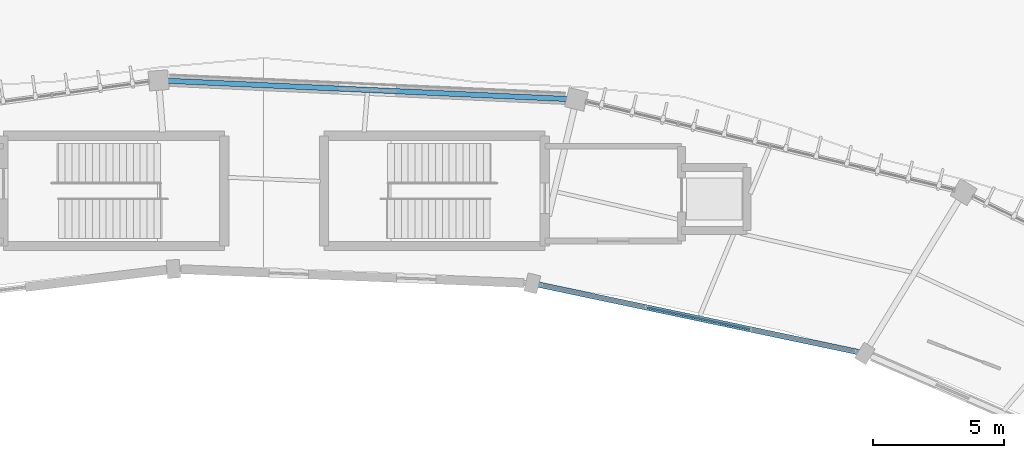
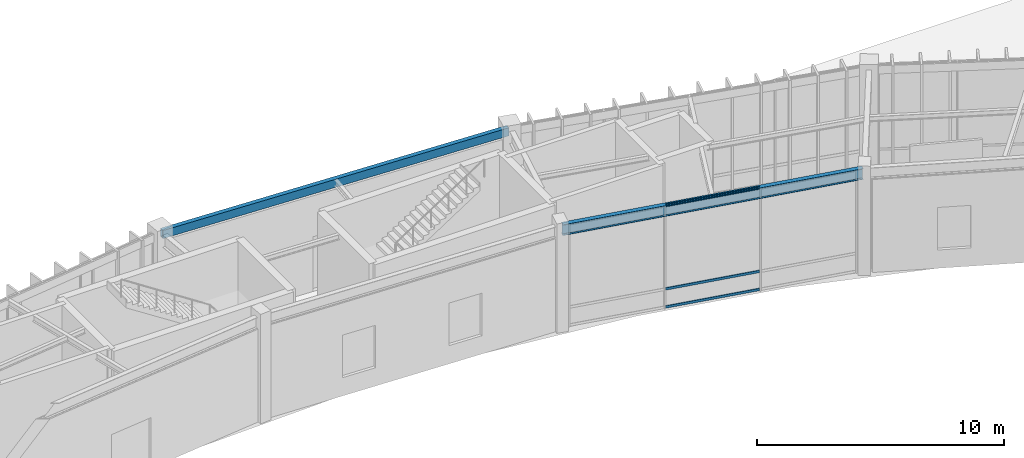
# One storey, part 76 of 157: 3 members, 2 beams, 1 element without a shape of its own.
"""IFC4 building model written with IfcOpenShell, lengths in metres."""

from ifc_helpers import new_model, si_unit, direction, frame, origin, origin_2d, place, context, subcontext, project, spatial, hollow_rectangle, i_section, extrude, material, material_profile, profile_set, type_object, element, aggregate, save


model = new_model("IFC4")

# Units and contexts
model_context = context("Model", 3, precision=1e-05, world=origin(), true_north=direction((0.0, 1.0)))
body_context = subcontext(model_context, "Body", "Model", "MODEL_VIEW")
ifc_project = project(units=[si_unit("LENGTHUNIT", "METRE"), si_unit("AREAUNIT", "SQUARE_METRE"), si_unit("VOLUMEUNIT", "CUBIC_METRE"), si_unit("PLANEANGLEUNIT", "RADIAN"), si_unit("MASSUNIT", "GRAM", prefix="KILO"), si_unit("THERMODYNAMICTEMPERATUREUNIT", "KELVIN"), si_unit("POWERUNIT", "WATT")], contexts=[model_context])

# Site, building, storey
site_placement = place(None, origin())
site = spatial("IfcSite", under=ifc_project, at=site_placement, CompositionType="ELEMENT")
building_placement = place(site_placement, origin())
building = spatial("IfcBuilding", under=site, at=building_placement, Name="Darbajah Civic Hall", CompositionType="ELEMENT")
storey_placement = place(building_placement, origin())
storey = spatial("IfcBuildingStorey", under=building, at=storey_placement, Name="L00", CompositionType="ELEMENT", Elevation=0.0)

# Curtain wall, members
ifc_material_1 = material(Name="Anodised Bronze Aluminium and Low-E Glazing", Category="aluminium")
curtain_wall_type = type_object("IfcCurtainWallType", Name="Unitised Curtain Wall CW-04 12200x5100", PredefinedType="USERDEFINED", material=ifc_material_1)
curtain_wall_placement = place(storey_placement, origin())
curtain_wall = element("IfcCurtainWall", 1, at=curtain_wall_placement, inside=storey, type_object=curtain_wall_type, Name="L00 unitised curtain wall CW-V1I-L00-03", ObjectType="UNITISED CURTAIN WALL", PredefinedType="USERDEFINED")
ifc_material_2 = material(Name="Anodised Bronze Aluminium", Category="aluminium")
ifc_material_profile_1 = material_profile(ifc_material_2, hollow_rectangle(XDim=0.06005859375, YDim=0.1201171875, WallThickness=0.003173828125, at=origin_2d()), Name="ALU TRANSOM 60x120")
ifc_profile_set_1 = profile_set([ifc_material_profile_1], Name="Anodised Bronze Aluminium")
member_type = type_object("IfcMemberType", Name="ALU TRANSOM 60x120", PredefinedType="USERDEFINED", material=ifc_profile_set_1)
member_1_placement = place(storey_placement, frame((107.6162109375, 109.7353515625, 0.06005859375), z_axis=(-0.978477346572, 0.206354263939, 0.0), x_axis=(-0.206354263939, -0.978477346572, 0.0)))
member_1 = element("IfcMember", 2, at=member_1_placement, type_object=member_type, Name="CW-V1I-L00-03 transom 2.1", ObjectType="TRANSOM", PredefinedType="USERDEFINED", context=body_context, shape_type="SweptSolid", body=[
    extrude(hollow_rectangle(XDim=0.06005859375, YDim=0.1201171875, WallThickness=0.003173828125, at=origin_2d()), origin(), (0.0, 0.0, 1.0), 4.00830078125),
])
member_2_placement = place(storey_placement, frame((107.6162109375, 109.7353515625, 0.949951171875), z_axis=(-0.978477346572, 0.206354263939, 0.0), x_axis=(-0.206354263939, -0.978477346572, 0.0)))
member_2 = element("IfcMember", 3, at=member_2_placement, type_object=member_type, Name="CW-V1I-L00-03 transom 2.2", ObjectType="TRANSOM", PredefinedType="USERDEFINED", context=body_context, shape_type="SweptSolid", body=[
    extrude(hollow_rectangle(XDim=0.06005859375, YDim=0.1201171875, WallThickness=0.003173828125, at=origin_2d()), origin(), (0.0, 0.0, 1.0), 4.00830078125),
])
member_3_placement = place(storey_placement, frame((107.6162109375, 109.7353515625, 5.06005859375), z_axis=(-0.978477346572, 0.206354263939, 0.0), x_axis=(-0.206354263939, -0.978477346572, 0.0)))
member_3 = element("IfcMember", 4, at=member_3_placement, type_object=member_type, Name="CW-V1I-L00-03 transom 2.3", ObjectType="TRANSOM", PredefinedType="USERDEFINED", context=body_context, shape_type="SweptSolid", body=[
    extrude(hollow_rectangle(XDim=0.06005859375, YDim=0.1201171875, WallThickness=0.003173828125, at=origin_2d()), origin(), (0.0, 0.0, 1.0), 4.00830078125),
])
aggregate(curtain_wall, [member_1, member_2, member_3])

# Beams
ifc_material_3 = material(Name="Steel S355JR", Category="steel")
ifc_material_profile_2 = material_profile(ifc_material_3, hollow_rectangle(XDim=0.199951171875, YDim=0.39990234375, WallThickness=0.013916015625, at=origin_2d()), Name="RHS 400x200x14")
ifc_profile_set_2 = profile_set([ifc_material_profile_2], Name="Steel S355JR")
beam_type_1 = type_object("IfcBeamType", Name="RHS 400x200x14", PredefinedType="SPANDREL", material=ifc_profile_set_2)
beam_1_placement = place(storey_placement, frame((100.92578125, 118.488525390625, 4.919921875), z_axis=(-0.998964928608, 0.04548704664, 0.0), x_axis=(-0.04548704664, -0.998964928608, 0.0)))
element("IfcBeam", 5, at=beam_1_placement, inside=storey, type_object=beam_type_1, Name="L00 beam SP-RHS400", PredefinedType="SPANDREL", context=body_context, shape_type="SweptSolid", body=[
    extrude(hollow_rectangle(XDim=0.199951171875, YDim=0.39990234375, WallThickness=0.013916015625, at=origin_2d()), origin(), (0.0, 0.0, 1.0), 15.763671875),
])
ifc_material_profile_3 = material_profile(ifc_material_3, i_section(OverallWidth=0.209228515625, OverallDepth=0.533203125, WebThickness=0.010009765625, FlangeThickness=0.015625, FilletRadius=0.0126953125, at=origin_2d()), Name="UB 533x210x92")
ifc_profile_set_3 = profile_set([ifc_material_profile_3], Name="Steel S355JR")
beam_type_2 = type_object("IfcBeamType", Name="UB 533x210x92", PredefinedType="BEAM", material=ifc_profile_set_3)
beam_2_placement = place(storey_placement, frame((111.906982421875, 108.830322265625, 4.853515625), z_axis=(-0.978476951565, 0.206356136949, 0.0), x_axis=(-0.206356136949, -0.978476951565, 0.0)))
element("IfcBeam", 6, at=beam_2_placement, inside=storey, type_object=beam_type_2, Name="L00 beam SB-533", PredefinedType="BEAM", context=body_context, shape_type="SweptSolid", body=[
    extrude(i_section(OverallWidth=0.209228515625, OverallDepth=0.533203125, WebThickness=0.010009765625, FlangeThickness=0.015625, FilletRadius=0.0126953125, at=origin_2d()), origin(), (0.0, 0.0, 1.0), 12.77880859375),
])

save(model, "model.ifc")
